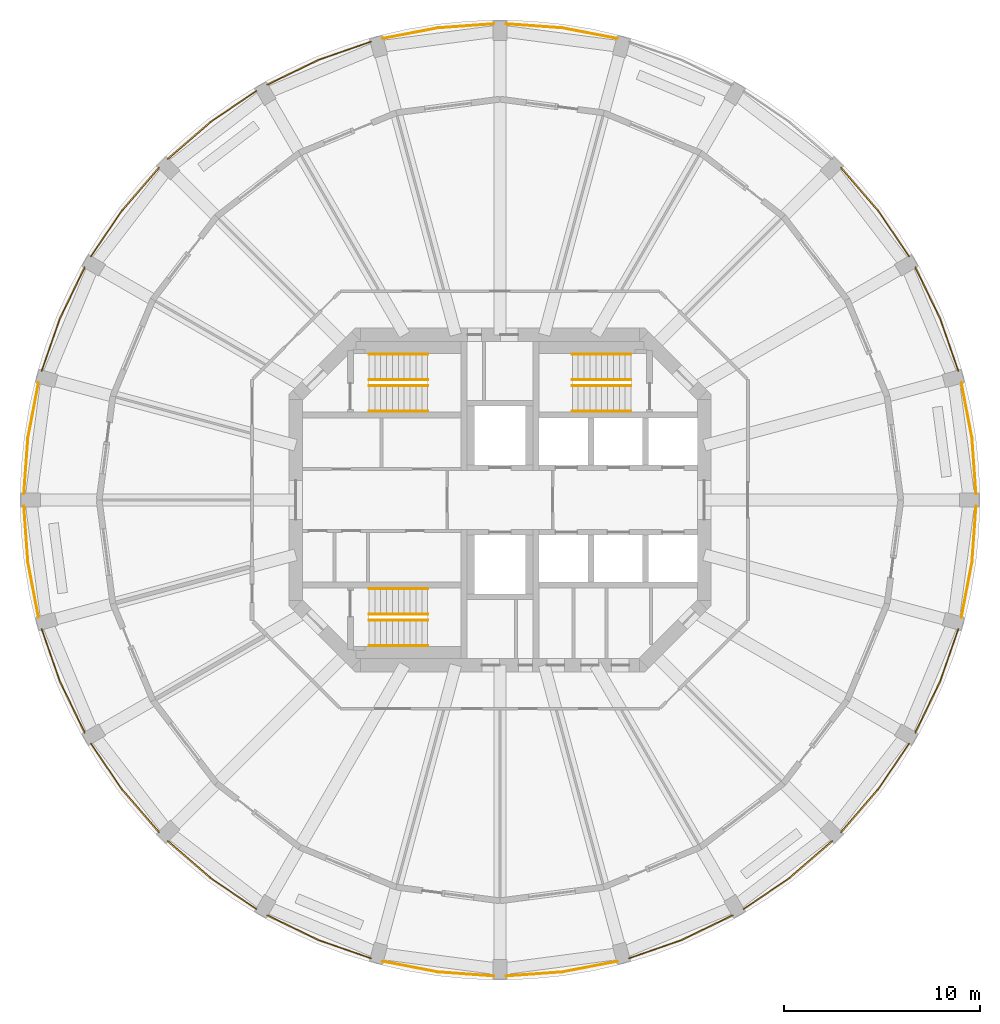
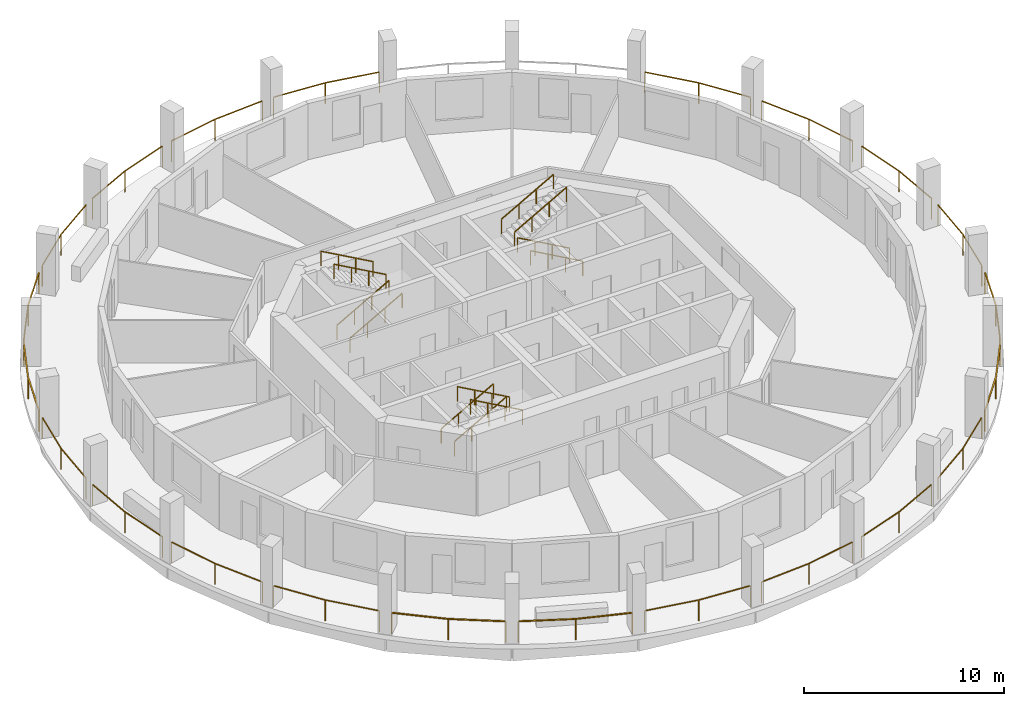
# One storey, part 8 of 9: 34 railings.
"""IFC4 building model written with IfcOpenShell, lengths in metres."""

from ifc_helpers import new_model, si_unit, direction, frame, origin, origin_2d, place, context, subcontext, project, spatial, rectangle, extrude, material, type_object, element, save


model = new_model("IFC4")

# Units and contexts
model_context = context("Model", 3, precision=1e-05, world=origin(), true_north=direction((0.0, 1.0)))
body_context = subcontext(model_context, "Body", "Model", "MODEL_VIEW")
ifc_project = project(units=[si_unit("LENGTHUNIT", "METRE"), si_unit("AREAUNIT", "SQUARE_METRE"), si_unit("VOLUMEUNIT", "CUBIC_METRE"), si_unit("PLANEANGLEUNIT", "RADIAN"), si_unit("MASSUNIT", "GRAM", prefix="KILO")], contexts=[model_context])

# Site, building, storey
site_placement = place(None, origin())
site = spatial("IfcSite", under=ifc_project, at=site_placement, CompositionType="ELEMENT")
building_placement = place(site_placement, origin())
building = spatial("IfcBuilding", under=site, at=building_placement, Name="Torre Triforio", CompositionType="ELEMENT")
storey_placement = place(building_placement, frame((0.0, 0.0, 237.199951171875)))
storey = spatial("IfcBuildingStorey", under=building, at=storey_placement, Name="L54", CompositionType="ELEMENT", Elevation=237.199951171875)

# Railings
ifc_material = material(Name="Stainless steel AISI 316", Category="steel")
railing_type_1 = type_object("IfcRailingType", Name="HANDRAIL 920", PredefinedType="HANDRAIL", material=ifc_material)
for number, where, name in (
    (1, (-6.699951171875, 4.550048828125, 0.168212890625), "Handrail ST1"),
    (2, (-6.699951171875, 5.85009765625, 0.168212890625), "Handrail ST1"),
):
    element("IfcRailing", number, at=place(storey_placement, frame(where)), inside=storey, type_object=railing_type_1, Name=name, PredefinedType="HANDRAIL", context=body_context, shape_type="SweptSolid", body=[
        extrude(rectangle(XDim=0.048095703125, YDim=0.048095703125, at=origin_2d()), frame((0.0, 0.0, 0.89599609375), z_axis=(0.872272294576, 0.0, 0.489020494575), x_axis=(0.0, 1.0, 0.0)), (0.0, 0.0, 1.0), 3.439208984375),
        extrude(rectangle(XDim=0.0419921875, YDim=0.0419921875, at=origin_2d()), origin(), (0.0, 0.0, 1.0), 0.871826171875),
        extrude(rectangle(XDim=0.0419921875, YDim=0.0419921875, at=origin_2d()), frame((1.0, 0.0, 0.560546875)), (0.0, 0.0, 1.0), 0.871826171875),
        extrude(rectangle(XDim=0.0419921875, YDim=0.0419921875, at=origin_2d()), frame((2.0, 0.0, 1.121337890625)), (0.0, 0.0, 1.0), 0.871826171875),
        extrude(rectangle(XDim=0.0419921875, YDim=0.0419921875, at=origin_2d()), frame((3.0, 0.0, 1.681884765625)), (0.0, 0.0, 1.0), 0.871826171875),
    ])
for number, where, name in (
    (3, (-3.699951171875, 7.449951171875, 2.018310546875), "Handrail ST1"),
    (4, (-3.699951171875, 6.14990234375, 2.018310546875), "Handrail ST1"),
):
    element("IfcRailing", number, at=place(storey_placement, frame(where)), inside=storey, type_object=railing_type_1, Name=name, PredefinedType="HANDRAIL", context=body_context, shape_type="SweptSolid", body=[
        extrude(rectangle(XDim=0.048095703125, YDim=0.048095703125, at=origin_2d()), frame((0.0, 0.0, 0.89599609375), z_axis=(-0.872302573547, 0.0, 0.488966481656), x_axis=(0.0, -1.0, 0.0)), (0.0, 0.0, 1.0), 3.439208984375),
        extrude(rectangle(XDim=0.0419921875, YDim=0.0419921875, at=origin_2d()), origin(), (0.0, 0.0, 1.0), 0.871826171875),
        extrude(rectangle(XDim=0.0419921875, YDim=0.0419921875, at=origin_2d()), frame((-1.0, 0.0, 0.560546875)), (0.0, 0.0, 1.0), 0.871826171875),
        extrude(rectangle(XDim=0.0419921875, YDim=0.0419921875, at=origin_2d()), frame((-2.0, 0.0, 1.12109375)), (0.0, 0.0, 1.0), 0.871826171875),
        extrude(rectangle(XDim=0.0419921875, YDim=0.0419921875, at=origin_2d()), frame((-3.0, 0.0, 1.681640625)), (0.0, 0.0, 1.0), 0.871826171875),
    ])
for number, where, name in (
    (5, (6.699951171875, 4.550048828125, 0.168212890625), "Handrail ST2"),
    (6, (6.699951171875, 5.85009765625, 0.168212890625), "Handrail ST2"),
):
    element("IfcRailing", number, at=place(storey_placement, frame(where)), inside=storey, type_object=railing_type_1, Name=name, PredefinedType="HANDRAIL", context=body_context, shape_type="SweptSolid", body=[
        extrude(rectangle(XDim=0.048095703125, YDim=0.048095703125, at=origin_2d()), frame((0.0, 0.0, 0.89599609375), z_axis=(-0.872272294576, 0.0, 0.489020494575), x_axis=(0.0, -1.0, 0.0)), (0.0, 0.0, 1.0), 3.439208984375),
        extrude(rectangle(XDim=0.0419921875, YDim=0.0419921875, at=origin_2d()), origin(), (0.0, 0.0, 1.0), 0.871826171875),
        extrude(rectangle(XDim=0.0419921875, YDim=0.0419921875, at=origin_2d()), frame((-1.0, 0.0, 0.560546875)), (0.0, 0.0, 1.0), 0.871826171875),
        extrude(rectangle(XDim=0.0419921875, YDim=0.0419921875, at=origin_2d()), frame((-2.0, 0.0, 1.121337890625)), (0.0, 0.0, 1.0), 0.871826171875),
        extrude(rectangle(XDim=0.0419921875, YDim=0.0419921875, at=origin_2d()), frame((-3.0, 0.0, 1.681884765625)), (0.0, 0.0, 1.0), 0.871826171875),
    ])
for number, where, name in (
    (7, (3.699951171875, 7.449951171875, 2.018310546875), "Handrail ST2"),
    (8, (3.699951171875, 6.14990234375, 2.018310546875), "Handrail ST2"),
):
    element("IfcRailing", number, at=place(storey_placement, frame(where)), inside=storey, type_object=railing_type_1, Name=name, PredefinedType="HANDRAIL", context=body_context, shape_type="SweptSolid", body=[
        extrude(rectangle(XDim=0.048095703125, YDim=0.048095703125, at=origin_2d()), frame((0.0, 0.0, 0.89599609375), z_axis=(0.872302573547, 0.0, 0.488966481656), x_axis=(0.0, 1.0, 0.0)), (0.0, 0.0, 1.0), 3.439208984375),
        extrude(rectangle(XDim=0.0419921875, YDim=0.0419921875, at=origin_2d()), origin(), (0.0, 0.0, 1.0), 0.871826171875),
        extrude(rectangle(XDim=0.0419921875, YDim=0.0419921875, at=origin_2d()), frame((1.0, 0.0, 0.560546875)), (0.0, 0.0, 1.0), 0.871826171875),
        extrude(rectangle(XDim=0.0419921875, YDim=0.0419921875, at=origin_2d()), frame((2.0, 0.0, 1.12109375)), (0.0, 0.0, 1.0), 0.871826171875),
        extrude(rectangle(XDim=0.0419921875, YDim=0.0419921875, at=origin_2d()), frame((3.0, 0.0, 1.681640625)), (0.0, 0.0, 1.0), 0.871826171875),
    ])
for number, where, name in (
    (9, (-6.699951171875, -4.550048828125, 0.168212890625), "Handrail ST3"),
    (10, (-6.699951171875, -5.85009765625, 0.168212890625), "Handrail ST3"),
):
    element("IfcRailing", number, at=place(storey_placement, frame(where)), inside=storey, type_object=railing_type_1, Name=name, PredefinedType="HANDRAIL", context=body_context, shape_type="SweptSolid", body=[
        extrude(rectangle(XDim=0.048095703125, YDim=0.048095703125, at=origin_2d()), frame((0.0, 0.0, 0.89599609375), z_axis=(0.872272294576, 0.0, 0.489020494575), x_axis=(0.0, 1.0, 0.0)), (0.0, 0.0, 1.0), 3.439208984375),
        extrude(rectangle(XDim=0.0419921875, YDim=0.0419921875, at=origin_2d()), origin(), (0.0, 0.0, 1.0), 0.871826171875),
        extrude(rectangle(XDim=0.0419921875, YDim=0.0419921875, at=origin_2d()), frame((1.0, 0.0, 0.560546875)), (0.0, 0.0, 1.0), 0.871826171875),
        extrude(rectangle(XDim=0.0419921875, YDim=0.0419921875, at=origin_2d()), frame((2.0, 0.0, 1.121337890625)), (0.0, 0.0, 1.0), 0.871826171875),
        extrude(rectangle(XDim=0.0419921875, YDim=0.0419921875, at=origin_2d()), frame((3.0, 0.0, 1.681884765625)), (0.0, 0.0, 1.0), 0.871826171875),
    ])
for number, where, name in (
    (11, (-3.699951171875, -7.449951171875, 2.018310546875), "Handrail ST3"),
    (12, (-3.699951171875, -6.14990234375, 2.018310546875), "Handrail ST3"),
):
    element("IfcRailing", number, at=place(storey_placement, frame(where)), inside=storey, type_object=railing_type_1, Name=name, PredefinedType="HANDRAIL", context=body_context, shape_type="SweptSolid", body=[
        extrude(rectangle(XDim=0.048095703125, YDim=0.048095703125, at=origin_2d()), frame((0.0, 0.0, 0.89599609375), z_axis=(-0.872302573547, 0.0, 0.488966481656), x_axis=(0.0, -1.0, 0.0)), (0.0, 0.0, 1.0), 3.439208984375),
        extrude(rectangle(XDim=0.0419921875, YDim=0.0419921875, at=origin_2d()), origin(), (0.0, 0.0, 1.0), 0.871826171875),
        extrude(rectangle(XDim=0.0419921875, YDim=0.0419921875, at=origin_2d()), frame((-1.0, 0.0, 0.560546875)), (0.0, 0.0, 1.0), 0.871826171875),
        extrude(rectangle(XDim=0.0419921875, YDim=0.0419921875, at=origin_2d()), frame((-2.0, 0.0, 1.12109375)), (0.0, 0.0, 1.0), 0.871826171875),
        extrude(rectangle(XDim=0.0419921875, YDim=0.0419921875, at=origin_2d()), frame((-3.0, 0.0, 1.681640625)), (0.0, 0.0, 1.0), 0.871826171875),
    ])
railing_type_2 = type_object("IfcRailingType", Name="Loggia guard 1300", PredefinedType="GUARDRAIL", material=ifc_material)
railing_1_placement = place(storey_placement, frame((24.35009765625, 0.320068359375, 0.0)))
element("IfcRailing", 13, at=railing_1_placement, inside=storey, type_object=railing_type_2, Name="Loggia guard L54 bay 01", PredefinedType="GUARDRAIL", context=body_context, shape_type="SweptSolid", body=[
    extrude(rectangle(XDim=0.050048828125, YDim=0.050048828125, at=origin_2d()), frame((0.0, 0.0, 1.27490234375), z_axis=(-0.072754488601, 0.997349880628, 0.0), x_axis=(-0.997349880628, -0.072754488601, 0.0)), (0.0, 0.0, 1.0), 2.86572265625),
    extrude(rectangle(XDim=0.050048828125, YDim=0.050048828125, at=origin_2d()), frame((-0.20849609375, 2.858154296875, 1.27490234375), z_axis=(-0.187918414449, 0.982184641252, 0.0), x_axis=(-0.982184641252, -0.187918414449, 0.0)), (0.0, 0.0, 1.0), 2.865966796875),
    extrude(rectangle(XDim=0.0400390625, YDim=0.0400390625, at=origin_2d()), origin(), (0.0, 0.0, 1.0), 1.25),
    extrude(rectangle(XDim=0.0400390625, YDim=0.0400390625, at=origin_2d()), frame((-0.20849609375, 2.858154296875, 0.0)), (0.0, 0.0, 1.0), 1.25),
    extrude(rectangle(XDim=0.0400390625, YDim=0.0400390625, at=origin_2d()), frame((-0.7470703125, 5.673095703125, 0.0)), (0.0, 0.0, 1.0), 1.25),
])
railing_2_placement = place(storey_placement, frame((23.4375, 6.611328125, 0.0)))
element("IfcRailing", 14, at=railing_2_placement, inside=storey, type_object=railing_type_2, Name="Loggia guard L54 bay 02", PredefinedType="GUARDRAIL", context=body_context, shape_type="SweptSolid", body=[
    extrude(rectangle(XDim=0.050048828125, YDim=0.050048828125, at=origin_2d()), frame((0.0, 0.0, 1.27490234375), z_axis=(-0.328315763022, 0.944568028123, 0.0), x_axis=(-0.944568028123, -0.328315763022, 0.0)), (0.0, 0.0, 1.0), 2.865966796875),
    extrude(rectangle(XDim=0.050048828125, YDim=0.050048828125, at=origin_2d()), frame((-0.94091796875, 2.70703125, 1.27490234375), z_axis=(-0.435727917358, 0.900078431046, 0.0), x_axis=(-0.900078431046, -0.435727917358, 0.0)), (0.0, 0.0, 1.0), 2.865966796875),
    extrude(rectangle(XDim=0.0400390625, YDim=0.0400390625, at=origin_2d()), origin(), (0.0, 0.0, 1.0), 1.25),
    extrude(rectangle(XDim=0.0400390625, YDim=0.0400390625, at=origin_2d()), frame((-0.94091796875, 2.70703125, 0.0)), (0.0, 0.0, 1.0), 1.25),
    extrude(rectangle(XDim=0.0400390625, YDim=0.0400390625, at=origin_2d()), frame((-2.189697265625, 5.28662109375, 0.0)), (0.0, 0.0, 1.0), 1.25),
])
railing_3_placement = place(storey_placement, frame((20.927734375, 12.4521484375, 0.0)))
element("IfcRailing", 15, at=railing_3_placement, inside=storey, type_object=railing_type_2, Name="Loggia guard L54 bay 03", PredefinedType="GUARDRAIL", context=body_context, shape_type="SweptSolid", body=[
    extrude(rectangle(XDim=0.050048828125, YDim=0.050048828125, at=origin_2d()), frame((0.0, 0.0, 1.27490234375), z_axis=(-0.561659735558, 0.827368322727, 0.0), x_axis=(-0.827368322727, -0.561659735558, 0.0)), (0.0, 0.0, 1.0), 2.86572265625),
    extrude(rectangle(XDim=0.050048828125, YDim=0.050048828125, at=origin_2d()), frame((-1.609619140625, 2.37109375, 1.27490234375), z_axis=(-0.653823896404, 0.756646755422, 0.0), x_axis=(-0.756646755422, -0.653823896404, 0.0)), (0.0, 0.0, 1.0), 2.865966796875),
    extrude(rectangle(XDim=0.0400390625, YDim=0.0400390625, at=origin_2d()), origin(), (0.0, 0.0, 1.0), 1.25),
    extrude(rectangle(XDim=0.0400390625, YDim=0.0400390625, at=origin_2d()), frame((-1.609619140625, 2.37109375, 0.0)), (0.0, 0.0, 1.0), 1.25),
    extrude(rectangle(XDim=0.0400390625, YDim=0.0400390625, at=origin_2d()), frame((-3.4833984375, 4.53955078125, 0.0)), (0.0, 0.0, 1.0), 1.25),
])
railing_4_placement = place(storey_placement, frame((5.9931640625, 23.60302734375, 0.0)))
element("IfcRailing", 16, at=railing_4_placement, inside=storey, type_object=railing_type_2, Name="Loggia guard L54 bay 06", PredefinedType="GUARDRAIL", context=body_context, shape_type="SweptSolid", body=[
    extrude(rectangle(XDim=0.050048828125, YDim=0.050048828125, at=origin_2d()), frame((0.0, 0.0, 1.27490234375), z_axis=(-0.982184641252, 0.187918414449, 0.0), x_axis=(-0.187918414449, -0.982184641252, 0.0)), (0.0, 0.0, 1.0), 2.865966796875),
    extrude(rectangle(XDim=0.050048828125, YDim=0.050048828125, at=origin_2d()), frame((-2.81494140625, 0.53857421875, 1.27490234375), z_axis=(-0.997349880628, 0.072754488601, 0.0), x_axis=(-0.072754488601, -0.997349880628, 0.0)), (0.0, 0.0, 1.0), 2.86572265625),
    extrude(rectangle(XDim=0.0400390625, YDim=0.0400390625, at=origin_2d()), origin(), (0.0, 0.0, 1.0), 1.25),
    extrude(rectangle(XDim=0.0400390625, YDim=0.0400390625, at=origin_2d()), frame((-2.81494140625, 0.53857421875, 0.0)), (0.0, 0.0, 1.0), 1.25),
    extrude(rectangle(XDim=0.0400390625, YDim=0.0400390625, at=origin_2d()), frame((-5.673095703125, 0.7470703125, 0.0)), (0.0, 0.0, 1.0), 1.25),
])
railing_5_placement = place(storey_placement, frame((-0.320068359375, 24.35009765625, 0.0)))
element("IfcRailing", 17, at=railing_5_placement, inside=storey, type_object=railing_type_2, Name="Loggia guard L54 bay 07", PredefinedType="GUARDRAIL", context=body_context, shape_type="SweptSolid", body=[
    extrude(rectangle(XDim=0.050048828125, YDim=0.050048828125, at=origin_2d()), frame((0.0, 0.0, 1.27490234375), z_axis=(-0.997349880628, -0.072754488601, 0.0), x_axis=(0.072754488601, -0.997349880628, 0.0)), (0.0, 0.0, 1.0), 2.86572265625),
    extrude(rectangle(XDim=0.050048828125, YDim=0.050048828125, at=origin_2d()), frame((-2.858154296875, -0.20849609375, 1.27490234375), z_axis=(-0.982184641252, -0.187918414449, 0.0), x_axis=(0.187918414449, -0.982184641252, 0.0)), (0.0, 0.0, 1.0), 2.865966796875),
    extrude(rectangle(XDim=0.0400390625, YDim=0.0400390625, at=origin_2d()), origin(), (0.0, 0.0, 1.0), 1.25),
    extrude(rectangle(XDim=0.0400390625, YDim=0.0400390625, at=origin_2d()), frame((-2.858154296875, -0.20849609375, 0.0)), (0.0, 0.0, 1.0), 1.25),
    extrude(rectangle(XDim=0.0400390625, YDim=0.0400390625, at=origin_2d()), frame((-5.673095703125, -0.7470703125, 0.0)), (0.0, 0.0, 1.0), 1.25),
])
railing_6_placement = place(storey_placement, frame((-6.611328125, 23.4375, 0.0)))
element("IfcRailing", 18, at=railing_6_placement, inside=storey, type_object=railing_type_2, Name="Loggia guard L54 bay 08", PredefinedType="GUARDRAIL", context=body_context, shape_type="SweptSolid", body=[
    extrude(rectangle(XDim=0.050048828125, YDim=0.050048828125, at=origin_2d()), frame((0.0, 0.0, 1.27490234375), z_axis=(-0.944568028123, -0.328315763022, 0.0), x_axis=(0.328315763022, -0.944568028123, 0.0)), (0.0, 0.0, 1.0), 2.865966796875),
    extrude(rectangle(XDim=0.050048828125, YDim=0.050048828125, at=origin_2d()), frame((-2.70703125, -0.94091796875, 1.27490234375), z_axis=(-0.900078431046, -0.435727917358, 0.0), x_axis=(0.435727917358, -0.900078431046, 0.0)), (0.0, 0.0, 1.0), 2.865966796875),
    extrude(rectangle(XDim=0.0400390625, YDim=0.0400390625, at=origin_2d()), origin(), (0.0, 0.0, 1.0), 1.25),
    extrude(rectangle(XDim=0.0400390625, YDim=0.0400390625, at=origin_2d()), frame((-2.70703125, -0.94091796875, 0.0)), (0.0, 0.0, 1.0), 1.25),
    extrude(rectangle(XDim=0.0400390625, YDim=0.0400390625, at=origin_2d()), frame((-5.28662109375, -2.189697265625, 0.0)), (0.0, 0.0, 1.0), 1.25),
])
railing_7_placement = place(storey_placement, frame((-12.4521484375, 20.927734375, 0.0)))
element("IfcRailing", 19, at=railing_7_placement, inside=storey, type_object=railing_type_2, Name="Loggia guard L54 bay 09", PredefinedType="GUARDRAIL", context=body_context, shape_type="SweptSolid", body=[
    extrude(rectangle(XDim=0.050048828125, YDim=0.050048828125, at=origin_2d()), frame((0.0, 0.0, 1.27490234375), z_axis=(-0.827368322727, -0.561659735558, 0.0), x_axis=(0.561659735558, -0.827368322727, 0.0)), (0.0, 0.0, 1.0), 2.86572265625),
    extrude(rectangle(XDim=0.050048828125, YDim=0.050048828125, at=origin_2d()), frame((-2.37109375, -1.609619140625, 1.27490234375), z_axis=(-0.756646755422, -0.653823896404, 0.0), x_axis=(0.653823896404, -0.756646755422, 0.0)), (0.0, 0.0, 1.0), 2.865966796875),
    extrude(rectangle(XDim=0.0400390625, YDim=0.0400390625, at=origin_2d()), origin(), (0.0, 0.0, 1.0), 1.25),
    extrude(rectangle(XDim=0.0400390625, YDim=0.0400390625, at=origin_2d()), frame((-2.37109375, -1.609619140625, 0.0)), (0.0, 0.0, 1.0), 1.25),
    extrude(rectangle(XDim=0.0400390625, YDim=0.0400390625, at=origin_2d()), frame((-4.53955078125, -3.4833984375, 0.0)), (0.0, 0.0, 1.0), 1.25),
])
railing_8_placement = place(storey_placement, frame((-17.4443359375, 16.99169921875, 0.0)))
element("IfcRailing", 20, at=railing_8_placement, inside=storey, type_object=railing_type_2, Name="Loggia guard L54 bay 10", PredefinedType="GUARDRAIL", context=body_context, shape_type="SweptSolid", body=[
    extrude(rectangle(XDim=0.050048828125, YDim=0.050048828125, at=origin_2d()), frame((0.0, 0.0, 1.27490234375), z_axis=(-0.653823896404, -0.756646755422, 0.0), x_axis=(0.756646755422, -0.653823896404, 0.0)), (0.0, 0.0, 1.0), 2.865966796875),
    extrude(rectangle(XDim=0.050048828125, YDim=0.050048828125, at=origin_2d()), frame((-1.873779296875, -2.16845703125, 1.27490234375), z_axis=(-0.561659735558, -0.827368322727, 0.0), x_axis=(0.827368322727, -0.561659735558, 0.0)), (0.0, 0.0, 1.0), 2.86572265625),
    extrude(rectangle(XDim=0.0400390625, YDim=0.0400390625, at=origin_2d()), origin(), (0.0, 0.0, 1.0), 1.25),
    extrude(rectangle(XDim=0.0400390625, YDim=0.0400390625, at=origin_2d()), frame((-1.873779296875, -2.16845703125, 0.0)), (0.0, 0.0, 1.0), 1.25),
    extrude(rectangle(XDim=0.0400390625, YDim=0.0400390625, at=origin_2d()), frame((-3.4833984375, -4.53955078125, 0.0)), (0.0, 0.0, 1.0), 1.25),
])
railing_9_placement = place(storey_placement, frame((-21.247802734375, 11.89794921875, 0.0)))
element("IfcRailing", 21, at=railing_9_placement, inside=storey, type_object=railing_type_2, Name="Loggia guard L54 bay 11", PredefinedType="GUARDRAIL", context=body_context, shape_type="SweptSolid", body=[
    extrude(rectangle(XDim=0.050048828125, YDim=0.050048828125, at=origin_2d()), frame((0.0, 0.0, 1.27490234375), z_axis=(-0.435727917358, -0.900078431046, 0.0), x_axis=(0.900078431046, -0.435727917358, 0.0)), (0.0, 0.0, 1.0), 2.865966796875),
    extrude(rectangle(XDim=0.050048828125, YDim=0.050048828125, at=origin_2d()), frame((-1.248779296875, -2.57958984375, 1.27490234375), z_axis=(-0.328315763022, -0.944568028123, 0.0), x_axis=(0.944568028123, -0.328315763022, 0.0)), (0.0, 0.0, 1.0), 2.865966796875),
    extrude(rectangle(XDim=0.0400390625, YDim=0.0400390625, at=origin_2d()), origin(), (0.0, 0.0, 1.0), 1.25),
    extrude(rectangle(XDim=0.0400390625, YDim=0.0400390625, at=origin_2d()), frame((-1.248779296875, -2.57958984375, 0.0)), (0.0, 0.0, 1.0), 1.25),
    extrude(rectangle(XDim=0.0400390625, YDim=0.0400390625, at=origin_2d()), frame((-2.189697265625, -5.28662109375, 0.0)), (0.0, 0.0, 1.0), 1.25),
])
railing_10_placement = place(storey_placement, frame((-23.60302734375, 5.9931640625, 0.0)))
element("IfcRailing", 22, at=railing_10_placement, inside=storey, type_object=railing_type_2, Name="Loggia guard L54 bay 12", PredefinedType="GUARDRAIL", context=body_context, shape_type="SweptSolid", body=[
    extrude(rectangle(XDim=0.050048828125, YDim=0.050048828125, at=origin_2d()), frame((0.0, 0.0, 1.27490234375), z_axis=(-0.187918414449, -0.982184641252, 0.0), x_axis=(0.982184641252, -0.187918414449, 0.0)), (0.0, 0.0, 1.0), 2.865966796875),
    extrude(rectangle(XDim=0.050048828125, YDim=0.050048828125, at=origin_2d()), frame((-0.53857421875, -2.81494140625, 1.27490234375), z_axis=(-0.072754488601, -0.997349880628, 0.0), x_axis=(0.997349880628, -0.072754488601, 0.0)), (0.0, 0.0, 1.0), 2.86572265625),
    extrude(rectangle(XDim=0.0400390625, YDim=0.0400390625, at=origin_2d()), origin(), (0.0, 0.0, 1.0), 1.25),
    extrude(rectangle(XDim=0.0400390625, YDim=0.0400390625, at=origin_2d()), frame((-0.53857421875, -2.81494140625, 0.0)), (0.0, 0.0, 1.0), 1.25),
    extrude(rectangle(XDim=0.0400390625, YDim=0.0400390625, at=origin_2d()), frame((-0.7470703125, -5.673095703125, 0.0)), (0.0, 0.0, 1.0), 1.25),
])
railing_11_placement = place(storey_placement, frame((-24.35009765625, -0.320068359375, 0.0)))
element("IfcRailing", 23, at=railing_11_placement, inside=storey, type_object=railing_type_2, Name="Loggia guard L54 bay 13", PredefinedType="GUARDRAIL", context=body_context, shape_type="SweptSolid", body=[
    extrude(rectangle(XDim=0.050048828125, YDim=0.050048828125, at=origin_2d()), frame((0.0, 0.0, 1.27490234375), z_axis=(0.072754488601, -0.997349880628, 0.0), x_axis=(0.997349880628, 0.072754488601, 0.0)), (0.0, 0.0, 1.0), 2.86572265625),
    extrude(rectangle(XDim=0.050048828125, YDim=0.050048828125, at=origin_2d()), frame((0.20849609375, -2.858154296875, 1.27490234375), z_axis=(0.187918414449, -0.982184641252, 0.0), x_axis=(0.982184641252, 0.187918414449, 0.0)), (0.0, 0.0, 1.0), 2.865966796875),
    extrude(rectangle(XDim=0.0400390625, YDim=0.0400390625, at=origin_2d()), origin(), (0.0, 0.0, 1.0), 1.25),
    extrude(rectangle(XDim=0.0400390625, YDim=0.0400390625, at=origin_2d()), frame((0.20849609375, -2.858154296875, 0.0)), (0.0, 0.0, 1.0), 1.25),
    extrude(rectangle(XDim=0.0400390625, YDim=0.0400390625, at=origin_2d()), frame((0.7470703125, -5.673095703125, 0.0)), (0.0, 0.0, 1.0), 1.25),
])
railing_12_placement = place(storey_placement, frame((-23.4375, -6.611328125, 0.0)))
element("IfcRailing", 24, at=railing_12_placement, inside=storey, type_object=railing_type_2, Name="Loggia guard L54 bay 14", PredefinedType="GUARDRAIL", context=body_context, shape_type="SweptSolid", body=[
    extrude(rectangle(XDim=0.050048828125, YDim=0.050048828125, at=origin_2d()), frame((0.0, 0.0, 1.27490234375), z_axis=(0.328315763022, -0.944568028123, 0.0), x_axis=(0.944568028123, 0.328315763022, 0.0)), (0.0, 0.0, 1.0), 2.865966796875),
    extrude(rectangle(XDim=0.050048828125, YDim=0.050048828125, at=origin_2d()), frame((0.94091796875, -2.70703125, 1.27490234375), z_axis=(0.435727917358, -0.900078431046, 0.0), x_axis=(0.900078431046, 0.435727917358, 0.0)), (0.0, 0.0, 1.0), 2.865966796875),
    extrude(rectangle(XDim=0.0400390625, YDim=0.0400390625, at=origin_2d()), origin(), (0.0, 0.0, 1.0), 1.25),
    extrude(rectangle(XDim=0.0400390625, YDim=0.0400390625, at=origin_2d()), frame((0.94091796875, -2.70703125, 0.0)), (0.0, 0.0, 1.0), 1.25),
    extrude(rectangle(XDim=0.0400390625, YDim=0.0400390625, at=origin_2d()), frame((2.189697265625, -5.28662109375, 0.0)), (0.0, 0.0, 1.0), 1.25),
])
railing_13_placement = place(storey_placement, frame((-20.927734375, -12.4521484375, 0.0)))
element("IfcRailing", 25, at=railing_13_placement, inside=storey, type_object=railing_type_2, Name="Loggia guard L54 bay 15", PredefinedType="GUARDRAIL", context=body_context, shape_type="SweptSolid", body=[
    extrude(rectangle(XDim=0.050048828125, YDim=0.050048828125, at=origin_2d()), frame((0.0, 0.0, 1.27490234375), z_axis=(0.561659735558, -0.827368322727, 0.0), x_axis=(0.827368322727, 0.561659735558, 0.0)), (0.0, 0.0, 1.0), 2.86572265625),
    extrude(rectangle(XDim=0.050048828125, YDim=0.050048828125, at=origin_2d()), frame((1.609619140625, -2.37109375, 1.27490234375), z_axis=(0.653823896404, -0.756646755422, 0.0), x_axis=(0.756646755422, 0.653823896404, 0.0)), (0.0, 0.0, 1.0), 2.865966796875),
    extrude(rectangle(XDim=0.0400390625, YDim=0.0400390625, at=origin_2d()), origin(), (0.0, 0.0, 1.0), 1.25),
    extrude(rectangle(XDim=0.0400390625, YDim=0.0400390625, at=origin_2d()), frame((1.609619140625, -2.37109375, 0.0)), (0.0, 0.0, 1.0), 1.25),
    extrude(rectangle(XDim=0.0400390625, YDim=0.0400390625, at=origin_2d()), frame((3.4833984375, -4.53955078125, 0.0)), (0.0, 0.0, 1.0), 1.25),
])
railing_14_placement = place(storey_placement, frame((-16.99169921875, -17.4443359375, 0.0)))
element("IfcRailing", 26, at=railing_14_placement, inside=storey, type_object=railing_type_2, Name="Loggia guard L54 bay 16", PredefinedType="GUARDRAIL", context=body_context, shape_type="SweptSolid", body=[
    extrude(rectangle(XDim=0.050048828125, YDim=0.050048828125, at=origin_2d()), frame((0.0, 0.0, 1.27490234375), z_axis=(0.756646755422, -0.653823896404, 0.0), x_axis=(0.653823896404, 0.756646755422, 0.0)), (0.0, 0.0, 1.0), 2.865966796875),
    extrude(rectangle(XDim=0.050048828125, YDim=0.050048828125, at=origin_2d()), frame((2.16845703125, -1.873779296875, 1.27490234375), z_axis=(0.827368322727, -0.561659735558, 0.0), x_axis=(0.561659735558, 0.827368322727, 0.0)), (0.0, 0.0, 1.0), 2.86572265625),
    extrude(rectangle(XDim=0.0400390625, YDim=0.0400390625, at=origin_2d()), origin(), (0.0, 0.0, 1.0), 1.25),
    extrude(rectangle(XDim=0.0400390625, YDim=0.0400390625, at=origin_2d()), frame((2.16845703125, -1.873779296875, 0.0)), (0.0, 0.0, 1.0), 1.25),
    extrude(rectangle(XDim=0.0400390625, YDim=0.0400390625, at=origin_2d()), frame((4.53955078125, -3.4833984375, 0.0)), (0.0, 0.0, 1.0), 1.25),
])
railing_15_placement = place(storey_placement, frame((-11.89794921875, -21.247802734375, 0.0)))
element("IfcRailing", 27, at=railing_15_placement, inside=storey, type_object=railing_type_2, Name="Loggia guard L54 bay 17", PredefinedType="GUARDRAIL", context=body_context, shape_type="SweptSolid", body=[
    extrude(rectangle(XDim=0.050048828125, YDim=0.050048828125, at=origin_2d()), frame((0.0, 0.0, 1.27490234375), z_axis=(0.900078431046, -0.435727917358, 0.0), x_axis=(0.435727917358, 0.900078431046, 0.0)), (0.0, 0.0, 1.0), 2.865966796875),
    extrude(rectangle(XDim=0.050048828125, YDim=0.050048828125, at=origin_2d()), frame((2.57958984375, -1.248779296875, 1.27490234375), z_axis=(0.944568028123, -0.328315763022, 0.0), x_axis=(0.328315763022, 0.944568028123, 0.0)), (0.0, 0.0, 1.0), 2.865966796875),
    extrude(rectangle(XDim=0.0400390625, YDim=0.0400390625, at=origin_2d()), origin(), (0.0, 0.0, 1.0), 1.25),
    extrude(rectangle(XDim=0.0400390625, YDim=0.0400390625, at=origin_2d()), frame((2.57958984375, -1.248779296875, 0.0)), (0.0, 0.0, 1.0), 1.25),
    extrude(rectangle(XDim=0.0400390625, YDim=0.0400390625, at=origin_2d()), frame((5.28662109375, -2.189697265625, 0.0)), (0.0, 0.0, 1.0), 1.25),
])
railing_16_placement = place(storey_placement, frame((-5.9931640625, -23.60302734375, 0.0)))
element("IfcRailing", 28, at=railing_16_placement, inside=storey, type_object=railing_type_2, Name="Loggia guard L54 bay 18", PredefinedType="GUARDRAIL", context=body_context, shape_type="SweptSolid", body=[
    extrude(rectangle(XDim=0.050048828125, YDim=0.050048828125, at=origin_2d()), frame((0.0, 0.0, 1.27490234375), z_axis=(0.982184641252, -0.187918414449, 0.0), x_axis=(0.187918414449, 0.982184641252, 0.0)), (0.0, 0.0, 1.0), 2.865966796875),
    extrude(rectangle(XDim=0.050048828125, YDim=0.050048828125, at=origin_2d()), frame((2.81494140625, -0.53857421875, 1.27490234375), z_axis=(0.997349880628, -0.072754488601, 0.0), x_axis=(0.072754488601, 0.997349880628, 0.0)), (0.0, 0.0, 1.0), 2.86572265625),
    extrude(rectangle(XDim=0.0400390625, YDim=0.0400390625, at=origin_2d()), origin(), (0.0, 0.0, 1.0), 1.25),
    extrude(rectangle(XDim=0.0400390625, YDim=0.0400390625, at=origin_2d()), frame((2.81494140625, -0.53857421875, 0.0)), (0.0, 0.0, 1.0), 1.25),
    extrude(rectangle(XDim=0.0400390625, YDim=0.0400390625, at=origin_2d()), frame((5.673095703125, -0.7470703125, 0.0)), (0.0, 0.0, 1.0), 1.25),
])
railing_17_placement = place(storey_placement, frame((0.320068359375, -24.35009765625, 0.0)))
element("IfcRailing", 29, at=railing_17_placement, inside=storey, type_object=railing_type_2, Name="Loggia guard L54 bay 19", PredefinedType="GUARDRAIL", context=body_context, shape_type="SweptSolid", body=[
    extrude(rectangle(XDim=0.050048828125, YDim=0.050048828125, at=origin_2d()), frame((0.0, 0.0, 1.27490234375), z_axis=(0.997349880628, 0.072754488601, 0.0), x_axis=(-0.072754488601, 0.997349880628, 0.0)), (0.0, 0.0, 1.0), 2.86572265625),
    extrude(rectangle(XDim=0.050048828125, YDim=0.050048828125, at=origin_2d()), frame((2.858154296875, 0.20849609375, 1.27490234375), z_axis=(0.982184641252, 0.187918414449, 0.0), x_axis=(-0.187918414449, 0.982184641252, 0.0)), (0.0, 0.0, 1.0), 2.865966796875),
    extrude(rectangle(XDim=0.0400390625, YDim=0.0400390625, at=origin_2d()), origin(), (0.0, 0.0, 1.0), 1.25),
    extrude(rectangle(XDim=0.0400390625, YDim=0.0400390625, at=origin_2d()), frame((2.858154296875, 0.20849609375, 0.0)), (0.0, 0.0, 1.0), 1.25),
    extrude(rectangle(XDim=0.0400390625, YDim=0.0400390625, at=origin_2d()), frame((5.673095703125, 0.7470703125, 0.0)), (0.0, 0.0, 1.0), 1.25),
])
railing_18_placement = place(storey_placement, frame((6.611328125, -23.4375, 0.0)))
element("IfcRailing", 30, at=railing_18_placement, inside=storey, type_object=railing_type_2, Name="Loggia guard L54 bay 20", PredefinedType="GUARDRAIL", context=body_context, shape_type="SweptSolid", body=[
    extrude(rectangle(XDim=0.050048828125, YDim=0.050048828125, at=origin_2d()), frame((0.0, 0.0, 1.27490234375), z_axis=(0.944568028123, 0.328315763022, 0.0), x_axis=(-0.328315763022, 0.944568028123, 0.0)), (0.0, 0.0, 1.0), 2.865966796875),
    extrude(rectangle(XDim=0.050048828125, YDim=0.050048828125, at=origin_2d()), frame((2.70703125, 0.94091796875, 1.27490234375), z_axis=(0.900078431046, 0.435727917358, 0.0), x_axis=(-0.435727917358, 0.900078431046, 0.0)), (0.0, 0.0, 1.0), 2.865966796875),
    extrude(rectangle(XDim=0.0400390625, YDim=0.0400390625, at=origin_2d()), origin(), (0.0, 0.0, 1.0), 1.25),
    extrude(rectangle(XDim=0.0400390625, YDim=0.0400390625, at=origin_2d()), frame((2.70703125, 0.94091796875, 0.0)), (0.0, 0.0, 1.0), 1.25),
    extrude(rectangle(XDim=0.0400390625, YDim=0.0400390625, at=origin_2d()), frame((5.28662109375, 2.189697265625, 0.0)), (0.0, 0.0, 1.0), 1.25),
])
railing_19_placement = place(storey_placement, frame((12.4521484375, -20.927734375, 0.0)))
element("IfcRailing", 31, at=railing_19_placement, inside=storey, type_object=railing_type_2, Name="Loggia guard L54 bay 21", PredefinedType="GUARDRAIL", context=body_context, shape_type="SweptSolid", body=[
    extrude(rectangle(XDim=0.050048828125, YDim=0.050048828125, at=origin_2d()), frame((0.0, 0.0, 1.27490234375), z_axis=(0.827368322727, 0.561659735558, 0.0), x_axis=(-0.561659735558, 0.827368322727, 0.0)), (0.0, 0.0, 1.0), 2.86572265625),
    extrude(rectangle(XDim=0.050048828125, YDim=0.050048828125, at=origin_2d()), frame((2.37109375, 1.609619140625, 1.27490234375), z_axis=(0.756646755422, 0.653823896404, 0.0), x_axis=(-0.653823896404, 0.756646755422, 0.0)), (0.0, 0.0, 1.0), 2.865966796875),
    extrude(rectangle(XDim=0.0400390625, YDim=0.0400390625, at=origin_2d()), origin(), (0.0, 0.0, 1.0), 1.25),
    extrude(rectangle(XDim=0.0400390625, YDim=0.0400390625, at=origin_2d()), frame((2.37109375, 1.609619140625, 0.0)), (0.0, 0.0, 1.0), 1.25),
    extrude(rectangle(XDim=0.0400390625, YDim=0.0400390625, at=origin_2d()), frame((4.53955078125, 3.4833984375, 0.0)), (0.0, 0.0, 1.0), 1.25),
])
railing_20_placement = place(storey_placement, frame((17.4443359375, -16.99169921875, 0.0)))
element("IfcRailing", 32, at=railing_20_placement, inside=storey, type_object=railing_type_2, Name="Loggia guard L54 bay 22", PredefinedType="GUARDRAIL", context=body_context, shape_type="SweptSolid", body=[
    extrude(rectangle(XDim=0.050048828125, YDim=0.050048828125, at=origin_2d()), frame((0.0, 0.0, 1.27490234375), z_axis=(0.653823896404, 0.756646755422, 0.0), x_axis=(-0.756646755422, 0.653823896404, 0.0)), (0.0, 0.0, 1.0), 2.865966796875),
    extrude(rectangle(XDim=0.050048828125, YDim=0.050048828125, at=origin_2d()), frame((1.873779296875, 2.16845703125, 1.27490234375), z_axis=(0.561659735558, 0.827368322727, 0.0), x_axis=(-0.827368322727, 0.561659735558, 0.0)), (0.0, 0.0, 1.0), 2.86572265625),
    extrude(rectangle(XDim=0.0400390625, YDim=0.0400390625, at=origin_2d()), origin(), (0.0, 0.0, 1.0), 1.25),
    extrude(rectangle(XDim=0.0400390625, YDim=0.0400390625, at=origin_2d()), frame((1.873779296875, 2.16845703125, 0.0)), (0.0, 0.0, 1.0), 1.25),
    extrude(rectangle(XDim=0.0400390625, YDim=0.0400390625, at=origin_2d()), frame((3.4833984375, 4.53955078125, 0.0)), (0.0, 0.0, 1.0), 1.25),
])
railing_21_placement = place(storey_placement, frame((21.247802734375, -11.89794921875, 0.0)))
element("IfcRailing", 33, at=railing_21_placement, inside=storey, type_object=railing_type_2, Name="Loggia guard L54 bay 23", PredefinedType="GUARDRAIL", context=body_context, shape_type="SweptSolid", body=[
    extrude(rectangle(XDim=0.050048828125, YDim=0.050048828125, at=origin_2d()), frame((0.0, 0.0, 1.27490234375), z_axis=(0.435727917358, 0.900078431046, 0.0), x_axis=(-0.900078431046, 0.435727917358, 0.0)), (0.0, 0.0, 1.0), 2.865966796875),
    extrude(rectangle(XDim=0.050048828125, YDim=0.050048828125, at=origin_2d()), frame((1.248779296875, 2.57958984375, 1.27490234375), z_axis=(0.328315763022, 0.944568028123, 0.0), x_axis=(-0.944568028123, 0.328315763022, 0.0)), (0.0, 0.0, 1.0), 2.865966796875),
    extrude(rectangle(XDim=0.0400390625, YDim=0.0400390625, at=origin_2d()), origin(), (0.0, 0.0, 1.0), 1.25),
    extrude(rectangle(XDim=0.0400390625, YDim=0.0400390625, at=origin_2d()), frame((1.248779296875, 2.57958984375, 0.0)), (0.0, 0.0, 1.0), 1.25),
    extrude(rectangle(XDim=0.0400390625, YDim=0.0400390625, at=origin_2d()), frame((2.189697265625, 5.28662109375, 0.0)), (0.0, 0.0, 1.0), 1.25),
])
railing_22_placement = place(storey_placement, frame((23.60302734375, -5.9931640625, 0.0)))
element("IfcRailing", 34, at=railing_22_placement, inside=storey, type_object=railing_type_2, Name="Loggia guard L54 bay 24", PredefinedType="GUARDRAIL", context=body_context, shape_type="SweptSolid", body=[
    extrude(rectangle(XDim=0.050048828125, YDim=0.050048828125, at=origin_2d()), frame((0.0, 0.0, 1.27490234375), z_axis=(0.187918414449, 0.982184641252, 0.0), x_axis=(-0.982184641252, 0.187918414449, 0.0)), (0.0, 0.0, 1.0), 2.865966796875),
    extrude(rectangle(XDim=0.050048828125, YDim=0.050048828125, at=origin_2d()), frame((0.53857421875, 2.81494140625, 1.27490234375), z_axis=(0.072754488601, 0.997349880628, 0.0), x_axis=(-0.997349880628, 0.072754488601, 0.0)), (0.0, 0.0, 1.0), 2.86572265625),
    extrude(rectangle(XDim=0.0400390625, YDim=0.0400390625, at=origin_2d()), origin(), (0.0, 0.0, 1.0), 1.25),
    extrude(rectangle(XDim=0.0400390625, YDim=0.0400390625, at=origin_2d()), frame((0.53857421875, 2.81494140625, 0.0)), (0.0, 0.0, 1.0), 1.25),
    extrude(rectangle(XDim=0.0400390625, YDim=0.0400390625, at=origin_2d()), frame((0.7470703125, 5.673095703125, 0.0)), (0.0, 0.0, 1.0), 1.25),
])

save(model, "model.ifc")
